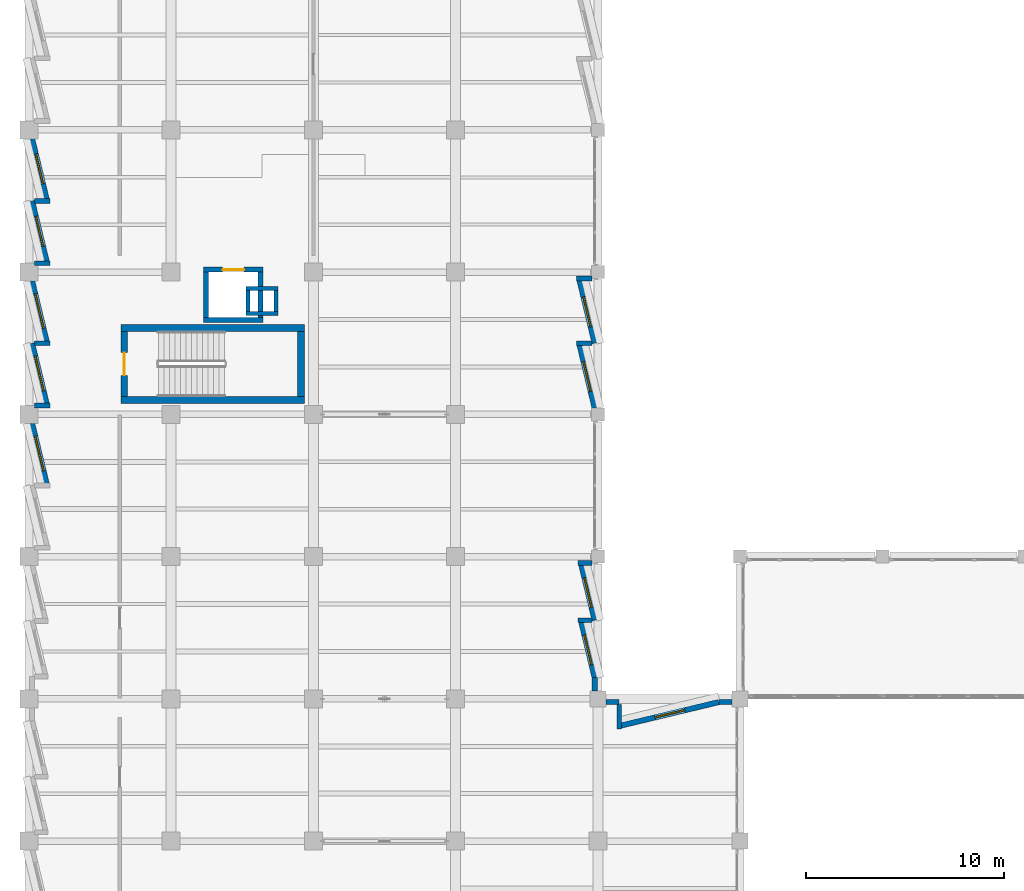
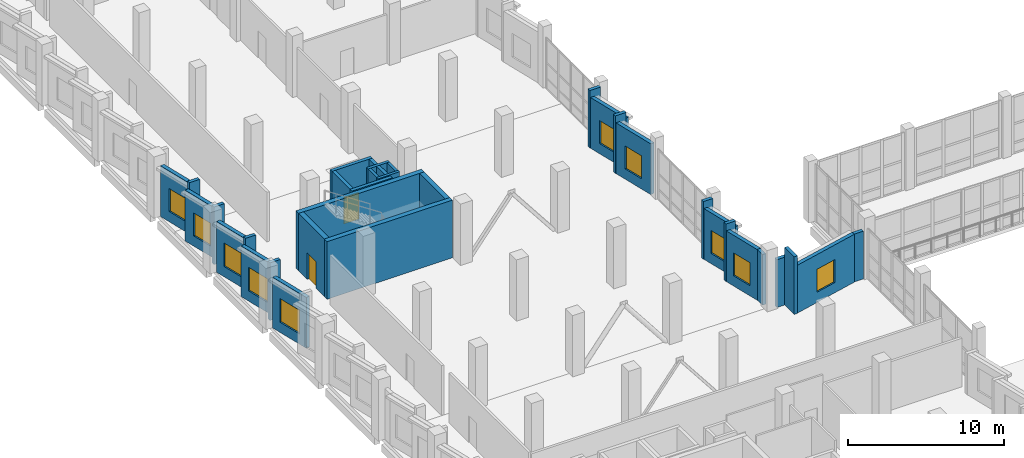
# One storey, part 94 of 127: 34 walls, 10 windows, 2 doors, 12 openings.
"""IFC4 building model written with IfcOpenShell, lengths in metres."""

from ifc_helpers import new_model, si_unit, direction, frame, frame_2d, origin, place, context, subcontext, project, spatial, rectangle, extrude, material, layer, layer_set, type_object, element, fill, save


model = new_model("IFC4")

# Units and contexts
model_context = context("Model", 3, precision=1e-05, world=origin(), true_north=direction((0.0, 1.0)))
body_context = subcontext(model_context, "Body", "Model", "MODEL_VIEW")
ifc_project = project(units=[si_unit("LENGTHUNIT", "METRE"), si_unit("AREAUNIT", "SQUARE_METRE"), si_unit("VOLUMEUNIT", "CUBIC_METRE"), si_unit("PLANEANGLEUNIT", "RADIAN"), si_unit("MASSUNIT", "GRAM", prefix="KILO")], contexts=[model_context])

# Site, building, storey
site_placement = place(None, origin())
site = spatial("IfcSite", under=ifc_project, at=site_placement, CompositionType="ELEMENT")
building_placement = place(site_placement, origin())
building = spatial("IfcBuilding", under=site, at=building_placement, Name="Kalmorath City Hall", CompositionType="ELEMENT")
storey_placement = place(building_placement, frame((0.0, 0.0, 5.39990234375)))
storey = spatial("IfcBuildingStorey", under=building, at=storey_placement, Name="L01", CompositionType="ELEMENT", Elevation=5.39990234375)

# Walls
ifc_material_1 = material(Name="Concrete C50/60", Category="concrete")
ifc_layer_1 = layer(ifc_material_1, 0.35009765625)
ifc_layer_set_1 = layer_set([ifc_layer_1], Name="Concrete C50/60")
wall_type_1 = type_object("IfcWallType", Name="Concrete core shear wall 350", PredefinedType="SHEAR", material=ifc_layer_set_1)
for number, where, z_axis, x_axis, name in (
    (1, (4.64990234375, 51.125, 0.0), (0.0, 0.0, 1.0), (1.0, 0.0, 0.0), "L01 C3 stair core shear wall S"),
    (2, (13.949951171875, 54.77490234375, 0.0), (0.0, 0.0, 1.0), (-1.0, 0.0, 0.0), "L01 C3 stair core shear wall N"),
):
    element("IfcWall", number, at=place(storey_placement, frame(where, z_axis=z_axis, x_axis=x_axis)), inside=storey, type_object=wall_type_1, Name=name, PredefinedType="SHEAR", context=body_context, shape_type="SweptSolid", body=[
        extrude(rectangle(XDim=9.300048828125, YDim=0.35009765625, at=frame_2d((4.64990234375, 0.0))), origin(), (0.0, 0.0, 1.0), 4.52001953125),
    ])

# Wall, opening, door
wall_1_placement = place(storey_placement, frame((4.824951171875, 54.60009765625, 0.0), z_axis=(0.0, 0.0, 1.0), x_axis=(0.0, -1.0, 0.0)))
wall_1 = element("IfcWall", 3, at=wall_1_placement, inside=storey, type_object=wall_type_1, Name="L01 C3 stair core shear wall W", PredefinedType="SHEAR", context=body_context, shape_type="SweptSolid", body=[
    extrude(rectangle(XDim=3.300048828125, YDim=0.35009765625, at=frame_2d((1.64990234375, 0.0))), origin(), (0.0, 0.0, 1.0), 4.52001953125),
])
opening_1_placement = place(wall_1_placement, frame((1.074951171875, 0.0, 0.0)))
opening_1 = element("IfcOpeningElement", 4, at=opening_1_placement, cuts=wall_1, Name="Opening D-L01-066", PredefinedType="OPENING", context=body_context, shape_type="SweptSolid", body=[
    extrude(rectangle(XDim=1.14990234375, YDim=2.10009765625, at=frame_2d((0.574951171875, 1.050048828125))), frame((0.0, 0.18505859375, 0.0), z_axis=(0.0, -1.0, 0.0), x_axis=(1.0, 0.0, 0.0)), (0.0, 0.0, 1.0), 0.3701171875),
])
ifc_material_2 = material(Name="Galvanised steel fire door", Category="steel")
door_type_1 = type_object("IfcDoorType", Name="Stair enclosure 90-min fire door 1150x2100", OperationType="NOTDEFINED", PredefinedType="DOOR", material=ifc_material_2)
door_1_placement = place(opening_1_placement, frame((1.14990234375, 0.0, 0.0), z_axis=(0.0, 0.0, 1.0), x_axis=(-1.0, 0.0, 0.0)))
door_1 = element("IfcDoor", 5, at=door_1_placement, inside=storey, type_object=door_type_1, Name="L01 door D-L01-066", OperationType="SINGLE_SWING_RIGHT", OverallHeight=2.10009765625, OverallWidth=1.14990234375, PredefinedType="DOOR", context=body_context, shape_type="SweptSolid", body=[
    extrude(rectangle(XDim=1.14990234375, YDim=2.10009765625, at=frame_2d((0.574951171875, 1.050048828125))), frame((0.0, 0.02490234375, 0.0), z_axis=(0.0, -1.0, 0.0), x_axis=(1.0, 0.0, 0.0)), (0.0, 0.0, 1.0), 0.050048828125),
])
fill(opening_1, door_1)

# Walls
wall_2_placement = place(storey_placement, frame((13.77490234375, 51.300048828125, 0.0), z_axis=(0.0, 0.0, 1.0), x_axis=(0.0, 1.0, 0.0)))
element("IfcWall", 6, at=wall_2_placement, inside=storey, type_object=wall_type_1, Name="L01 C3 stair core shear wall E", PredefinedType="SHEAR", context=body_context, shape_type="SweptSolid", body=[
    extrude(rectangle(XDim=3.300048828125, YDim=0.35009765625, at=frame_2d((1.64990234375, 0.0))), origin(), (0.0, 0.0, 1.0), 4.52001953125),
])
ifc_material_3 = material(Name="Concrete C50/60", Category="concrete")
ifc_layer_2 = layer(ifc_material_3, 0.25)
ifc_layer_set_2 = layer_set([ifc_layer_2], Name="Concrete C50/60")
wall_type_2 = type_object("IfcWallType", Name="Concrete lift shaft wall 250", PredefinedType="SHEAR", material=ifc_layer_set_2)
wall_3_placement = place(storey_placement, frame((8.85009765625, 55.175048828125, 0.0), z_axis=(0.0, 0.0, 1.0), x_axis=(1.0, 0.0, 0.0)))
element("IfcWall", 7, at=wall_3_placement, inside=storey, type_object=wall_type_2, Name="L01 PL4 lift shaft wall -y", PredefinedType="SHEAR", context=body_context, shape_type="SweptSolid", body=[
    extrude(rectangle(XDim=3.0, YDim=0.25, at=frame_2d((1.5, 0.0))), origin(), (0.0, 0.0, 1.0), 4.52001953125),
])

# Wall, opening, door
wall_4_placement = place(storey_placement, frame((11.85009765625, 57.72509765625, 0.0), z_axis=(0.0, 0.0, 1.0), x_axis=(-1.0, 0.0, 0.0)))
wall_4 = element("IfcWall", 8, at=wall_4_placement, inside=storey, type_object=wall_type_2, Name="L01 PL4 lift shaft wall +y", PredefinedType="SHEAR", context=body_context, shape_type="SweptSolid", body=[
    extrude(rectangle(XDim=3.0, YDim=0.25, at=frame_2d((1.5, 0.0))), origin(), (0.0, 0.0, 1.0), 4.52001953125),
])
opening_2_placement = place(wall_4_placement, frame((0.949951171875, 0.0, 0.0)))
opening_2 = element("IfcOpeningElement", 9, at=opening_2_placement, cuts=wall_4, Name="Opening LD-074", PredefinedType="OPENING", context=body_context, shape_type="SweptSolid", body=[
    extrude(rectangle(XDim=1.10009765625, YDim=2.10009765625, at=frame_2d((0.550048828125, 1.050048828125))), frame((0.0, 0.135009765625, 0.0), z_axis=(0.0, -1.0, 0.0), x_axis=(1.0, 0.0, 0.0)), (0.0, 0.0, 1.0), 0.27001953125),
])
ifc_material_4 = material(Name="Stainless steel sliding landing door", Category="steel")
door_type_2 = type_object("IfcDoorType", Name="Passenger lift sliding landing door 1100x2100", OperationType="SLIDING_TO_LEFT", PredefinedType="DOOR", material=ifc_material_4)
door_2_placement = place(opening_2_placement, origin())
door_2 = element("IfcDoor", 10, at=door_2_placement, inside=storey, type_object=door_type_2, Name="L01 door LD-074", OperationType="SLIDING_TO_LEFT", OverallHeight=2.10009765625, OverallWidth=1.10009765625, PredefinedType="DOOR", context=body_context, shape_type="SweptSolid", body=[
    extrude(rectangle(XDim=1.10009765625, YDim=2.10009765625, at=frame_2d((0.550048828125, 1.050048828125))), frame((0.0, 0.02490234375, 0.0), z_axis=(0.0, -1.0, 0.0), x_axis=(1.0, 0.0, 0.0)), (0.0, 0.0, 1.0), 0.050048828125),
])
fill(opening_2, door_2)

# Walls
for number, where, z_axis, x_axis, name in (
    (11, (8.97509765625, 57.60009765625, 0.0), (0.0, 0.0, 1.0), (0.0, -1.0, 0.0), "L01 PL4 lift shaft wall -x"),
    (12, (11.72509765625, 55.300048828125, 0.0), (0.0, 0.0, 1.0), (0.0, 1.0, 0.0), "L01 PL4 lift shaft wall +x"),
):
    element("IfcWall", number, at=place(storey_placement, frame(where, z_axis=z_axis, x_axis=x_axis)), inside=storey, type_object=wall_type_2, Name=name, PredefinedType="SHEAR", context=body_context, shape_type="SweptSolid", body=[
        extrude(rectangle(XDim=2.300048828125, YDim=0.25, at=frame_2d((1.14990234375, 0.0))), origin(), (0.0, 0.0, 1.0), 4.52001953125),
    ])
ifc_material_5 = material(Name="Concrete C40/50", Category="concrete")
ifc_layer_3 = layer(ifc_material_5, 0.199951171875)
ifc_layer_set_3 = layer_set([ifc_layer_3], Name="Concrete C40/50")
wall_type_3 = type_object("IfcWallType", Name="Concrete service riser wall 200", PredefinedType="SOLIDWALL", material=ifc_layer_set_3)
for number, where, z_axis, x_axis, name in (
    (13, (11.0, 55.5, 0.0), (0.0, 0.0, 1.0), (1.0, 0.0, 0.0), "L01 RSR-2 riser shaft wall S"),
    (14, (12.60009765625, 56.780029296875, 0.0), (0.0, 0.0, 1.0), (-1.0, 0.0, 0.0), "L01 RSR-2 riser shaft wall N"),
):
    element("IfcWall", number, at=place(storey_placement, frame(where, z_axis=z_axis, x_axis=x_axis)), inside=storey, type_object=wall_type_3, Name=name, PredefinedType="SOLIDWALL", context=body_context, shape_type="SweptSolid", body=[
        extrude(rectangle(XDim=1.60009765625, YDim=0.199951171875, at=frame_2d((0.800048828125, 0.0))), origin(), (0.0, 0.0, 1.0), 4.52001953125),
    ])
for number, where, z_axis, x_axis, name in (
    (15, (11.10009765625, 56.679931640625, 0.0), (0.0, 0.0, 1.0), (0.0, -1.0, 0.0), "L01 RSR-2 riser shaft wall W"),
    (16, (12.5, 55.60009765625, 0.0), (0.0, 0.0, 1.0), (0.0, 1.0, 0.0), "L01 RSR-2 riser shaft wall E"),
):
    element("IfcWall", number, at=place(storey_placement, frame(where, z_axis=z_axis, x_axis=x_axis)), inside=storey, type_object=wall_type_3, Name=name, PredefinedType="SOLIDWALL", context=body_context, shape_type="SweptSolid", body=[
        extrude(rectangle(XDim=1.079833984375, YDim=0.199951171875, at=frame_2d((0.5400390625, 0.0))), origin(), (0.0, 0.0, 1.0), 4.52001953125),
    ])
ifc_material_6 = material(Name="Precast concrete C40/50", Category="concrete")
ifc_layer_4 = layer(ifc_material_6, 0.239990234375)
ifc_layer_set_4 = layer_set([ifc_layer_4], Name="Precast concrete C40/50")
wall_type_4 = type_object("IfcWallType", Name="Precast sawtooth cheek wall 240", PredefinedType="SOLIDWALL", material=ifc_layer_set_4)
for number, where, z_axis, x_axis, name in (
    (17, (1.06103515625, 50.85107421875, 0.0), (0.0, 0.0, 1.0), (-1.0, 0.0, 0.0), "L01 sawtooth return cheek #195"),
    (18, (1.06103515625, 54.0, 0.0), (0.0, 0.0, 1.0), (-1.0, 0.0, 0.0), "L01 sawtooth return cheek #197"),
    (19, (1.06103515625, 58.051025390625, 0.0), (0.0, 0.0, 1.0), (-1.0, 0.0, 0.0), "L01 sawtooth return cheek #199"),
    (20, (1.06103515625, 61.199951171875, 0.0), (0.0, 0.0, 1.0), (-1.0, 0.0, 0.0), "L01 sawtooth return cheek #201"),
):
    element("IfcWall", number, at=place(storey_placement, frame(where, z_axis=z_axis, x_axis=x_axis)), inside=storey, type_object=wall_type_4, Name=name, PredefinedType="SOLIDWALL", context=body_context, shape_type="SweptSolid", body=[
        extrude(rectangle(XDim=0.76904296875, YDim=0.239990234375, at=frame_2d((0.384521484375, 0.0))), origin(), (0.0, 0.0, 1.0), 4.52001953125),
    ])
for number, where, z_axis, x_axis, name in (
    (21, (27.708984375, 57.27392578125, 0.0), (0.0, 0.0, 1.0), (1.0, 0.0, 0.0), "L01 sawtooth return cheek #338"),
    (22, (27.708984375, 54.0, 0.0), (0.0, 0.0, 1.0), (1.0, 0.0, 0.0), "L01 sawtooth return cheek #340"),
):
    element("IfcWall", number, at=place(storey_placement, frame(where, z_axis=z_axis, x_axis=x_axis)), inside=storey, type_object=wall_type_4, Name=name, PredefinedType="SOLIDWALL", context=body_context, shape_type="SweptSolid", body=[
        extrude(rectangle(XDim=0.799072265625, YDim=0.239990234375, at=frame_2d((0.3994140625, 0.0))), origin(), (0.0, 0.0, 1.0), 4.52001953125),
    ])
for number, where, z_axis, x_axis, name in (
    (23, (27.799560546875, 42.8740234375, 0.0), (0.0, 0.0, 1.0), (1.0, 0.0, 0.0), "L01 sawtooth return cheek #343"),
    (24, (27.799560546875, 39.9775390625, 0.0), (0.0, 0.0, 1.0), (1.0, 0.0, 0.0), "L01 sawtooth return cheek #345"),
):
    element("IfcWall", number, at=place(storey_placement, frame(where, z_axis=z_axis, x_axis=x_axis)), inside=storey, type_object=wall_type_4, Name=name, PredefinedType="SOLIDWALL", context=body_context, shape_type="SweptSolid", body=[
        extrude(rectangle(XDim=0.70849609375, YDim=0.239990234375, at=frame_2d((0.354248046875, 0.0))), origin(), (0.0, 0.0, 1.0), 4.52001953125),
    ])
wall_5_placement = place(storey_placement, frame((29.881103515625, 34.485595703125, 0.0), z_axis=(0.0, 0.0, 1.0), x_axis=(0.0, 1.0, 0.0)))
element("IfcWall", 25, at=wall_5_placement, inside=storey, type_object=wall_type_4, Name="L01 sawtooth return cheek #349", PredefinedType="SOLIDWALL", context=body_context, shape_type="SweptSolid", body=[
    extrude(rectangle(XDim=1.232421875, YDim=0.239990234375, at=frame_2d((0.6162109375, 0.0))), origin(), (0.0, 0.0, 1.0), 4.52001953125),
])

# Wall, opening, window
ifc_material_7 = material(Name="Precast concrete C40/50", Category="concrete")
ifc_layer_5 = layer(ifc_material_7, 0.280029296875)
ifc_layer_set_5 = layer_set([ifc_layer_5], Name="Precast concrete C40/50")
wall_type_5 = type_object("IfcWallType", Name="Precast sawtooth facade wall 280", PredefinedType="SOLIDWALL", material=ifc_layer_set_5)
wall_6_placement = place(storey_placement, frame((0.893798828125, 46.892333984375, 0.0), z_axis=(0.0, 0.0, 1.0), x_axis=(-0.233461073712, 0.972366148661, 0.0)))
wall_6 = element("IfcWall", 26, at=wall_6_placement, inside=storey, type_object=wall_type_5, Name="L01 sawtooth precast frame #192", PredefinedType="SOLIDWALL", context=body_context, shape_type="SweptSolid", body=[
    extrude(rectangle(XDim=3.1435546875, YDim=0.280029296875, at=frame_2d((1.57177734375, 0.0))), origin(), (0.0, 0.0, 1.0), 3.97607421875),
])
opening_3_placement = place(wall_6_placement, frame((0.671630859375, 0.0, 0.800048828125)))
opening_3 = element("IfcOpeningElement", 27, at=opening_3_placement, cuts=wall_6, Name="Opening WN4", PredefinedType="OPENING", context=body_context, shape_type="SweptSolid", body=[
    extrude(rectangle(XDim=1.800048828125, YDim=1.85009765625, at=frame_2d((0.89990234375, 0.925048828125))), frame((0.0, 0.14990234375, 0.0), z_axis=(0.0, -1.0, 0.0), x_axis=(1.0, 0.0, 0.0)), (0.0, 0.0, 1.0), 0.300048828125),
])
ifc_material_8 = material(Name="Aluminium and laminated glass", Category="aluminium")
window_type_1 = type_object("IfcWindowType", Name="Sawtooth executive window 1800x1850", PartitioningType="SINGLE_PANEL", PredefinedType="WINDOW", material=ifc_material_8)
window_1_placement = place(opening_3_placement, origin())
window_1 = element("IfcWindow", 28, at=window_1_placement, inside=storey, type_object=window_type_1, Name="L01 window WN4-89", OverallHeight=1.85009765625, OverallWidth=1.800048828125, PartitioningType="SINGLE_PANEL", PredefinedType="WINDOW", context=body_context, shape_type="SweptSolid", body=[
    extrude(rectangle(XDim=1.800048828125, YDim=1.85009765625, at=frame_2d((0.89990234375, 0.925048828125))), frame((0.0, 0.030029296875, 0.0), z_axis=(0.0, -1.0, 0.0), x_axis=(1.0, 0.0, 0.0)), (0.0, 0.0, 1.0), 0.06005859375),
])
fill(opening_3, window_1)

wall_7_placement = place(storey_placement, frame((0.893798828125, 50.943359375, 0.0), z_axis=(0.0, 0.0, 1.0), x_axis=(-0.233461073712, 0.972366148661, 0.0)))
wall_7 = element("IfcWall", 29, at=wall_7_placement, inside=storey, type_object=wall_type_5, Name="L01 sawtooth precast frame #194", PredefinedType="SOLIDWALL", context=body_context, shape_type="SweptSolid", body=[
    extrude(rectangle(XDim=3.1435546875, YDim=0.280029296875, at=frame_2d((1.57177734375, 0.0))), origin(), (0.0, 0.0, 1.0), 3.97607421875),
])
opening_4_placement = place(wall_7_placement, frame((0.671630859375, 0.0, 0.800048828125)))
opening_4 = element("IfcOpeningElement", 30, at=opening_4_placement, cuts=wall_7, Name="Opening WN4", PredefinedType="OPENING", context=body_context, shape_type="SweptSolid", body=[
    extrude(rectangle(XDim=1.800048828125, YDim=1.85009765625, at=frame_2d((0.89990234375, 0.925048828125))), frame((0.0, 0.14990234375, 0.0), z_axis=(0.0, -1.0, 0.0), x_axis=(1.0, 0.0, 0.0)), (0.0, 0.0, 1.0), 0.300048828125),
])
window_2_placement = place(opening_4_placement, origin())
window_2 = element("IfcWindow", 31, at=window_2_placement, inside=storey, type_object=window_type_1, Name="L01 window WN4-90", OverallHeight=1.85009765625, OverallWidth=1.800048828125, PartitioningType="SINGLE_PANEL", PredefinedType="WINDOW", context=body_context, shape_type="SweptSolid", body=[
    extrude(rectangle(XDim=1.800048828125, YDim=1.85009765625, at=frame_2d((0.89990234375, 0.925048828125))), frame((0.0, 0.030029296875, 0.0), z_axis=(0.0, -1.0, 0.0), x_axis=(1.0, 0.0, 0.0)), (0.0, 0.0, 1.0), 0.06005859375),
])
fill(opening_4, window_2)

wall_8_placement = place(storey_placement, frame((0.893798828125, 54.09228515625, 0.0), z_axis=(0.0, 0.0, 1.0), x_axis=(-0.233461073712, 0.972366148661, 0.0)))
wall_8 = element("IfcWall", 32, at=wall_8_placement, inside=storey, type_object=wall_type_5, Name="L01 sawtooth precast frame #196", PredefinedType="SOLIDWALL", context=body_context, shape_type="SweptSolid", body=[
    extrude(rectangle(XDim=3.1435546875, YDim=0.280029296875, at=frame_2d((1.57177734375, 0.0))), origin(), (0.0, 0.0, 1.0), 3.97607421875),
])
opening_5_placement = place(wall_8_placement, frame((0.671630859375, 0.0, 0.800048828125)))
opening_5 = element("IfcOpeningElement", 33, at=opening_5_placement, cuts=wall_8, Name="Opening WN4", PredefinedType="OPENING", context=body_context, shape_type="SweptSolid", body=[
    extrude(rectangle(XDim=1.800048828125, YDim=1.85009765625, at=frame_2d((0.89990234375, 0.925048828125))), frame((0.0, 0.14990234375, 0.0), z_axis=(0.0, -1.0, 0.0), x_axis=(1.0, 0.0, 0.0)), (0.0, 0.0, 1.0), 0.300048828125),
])
window_3_placement = place(opening_5_placement, origin())
window_3 = element("IfcWindow", 34, at=window_3_placement, inside=storey, type_object=window_type_1, Name="L01 window WN4-91", OverallHeight=1.85009765625, OverallWidth=1.800048828125, PartitioningType="SINGLE_PANEL", PredefinedType="WINDOW", context=body_context, shape_type="SweptSolid", body=[
    extrude(rectangle(XDim=1.800048828125, YDim=1.85009765625, at=frame_2d((0.89990234375, 0.925048828125))), frame((0.0, 0.030029296875, 0.0), z_axis=(0.0, -1.0, 0.0), x_axis=(1.0, 0.0, 0.0)), (0.0, 0.0, 1.0), 0.06005859375),
])
fill(opening_5, window_3)

wall_9_placement = place(storey_placement, frame((0.893798828125, 58.143310546875, 0.0), z_axis=(0.0, 0.0, 1.0), x_axis=(-0.233461073712, 0.972366148661, 0.0)))
wall_9 = element("IfcWall", 35, at=wall_9_placement, inside=storey, type_object=wall_type_5, Name="L01 sawtooth precast frame #198", PredefinedType="SOLIDWALL", context=body_context, shape_type="SweptSolid", body=[
    extrude(rectangle(XDim=3.1435546875, YDim=0.280029296875, at=frame_2d((1.57177734375, 0.0))), origin(), (0.0, 0.0, 1.0), 3.97607421875),
])
opening_6_placement = place(wall_9_placement, frame((0.796630859375, 0.0, 0.800048828125)))
opening_6 = element("IfcOpeningElement", 36, at=opening_6_placement, cuts=wall_9, Name="Opening WN5", PredefinedType="OPENING", context=body_context, shape_type="SweptSolid", body=[
    extrude(rectangle(XDim=1.550048828125, YDim=1.800048828125, at=frame_2d((0.77490234375, 0.89990234375))), frame((0.0, 0.14990234375, 0.0), z_axis=(0.0, -1.0, 0.0), x_axis=(1.0, 0.0, 0.0)), (0.0, 0.0, 1.0), 0.300048828125),
])
ifc_material_9 = material(Name="Aluminium and laminated glass", Category="aluminium")
window_type_2 = type_object("IfcWindowType", Name="Sawtooth corner bay window 1550x1800", PartitioningType="SINGLE_PANEL", PredefinedType="WINDOW", material=ifc_material_9)
window_4_placement = place(opening_6_placement, origin())
window_4 = element("IfcWindow", 37, at=window_4_placement, inside=storey, type_object=window_type_2, Name="L01 window WN5-92", OverallHeight=1.800048828125, OverallWidth=1.550048828125, PartitioningType="SINGLE_PANEL", PredefinedType="WINDOW", context=body_context, shape_type="SweptSolid", body=[
    extrude(rectangle(XDim=1.550048828125, YDim=1.800048828125, at=frame_2d((0.77490234375, 0.89990234375))), frame((0.0, 0.030029296875, 0.0), z_axis=(0.0, -1.0, 0.0), x_axis=(1.0, 0.0, 0.0)), (0.0, 0.0, 1.0), 0.06005859375),
])
fill(opening_6, window_4)

wall_10_placement = place(storey_placement, frame((0.893798828125, 61.29248046875, 0.0), z_axis=(0.0, 0.0, 1.0), x_axis=(-0.233461073712, 0.972366148661, 0.0)))
wall_10 = element("IfcWall", 38, at=wall_10_placement, inside=storey, type_object=wall_type_5, Name="L01 sawtooth precast frame #200", PredefinedType="SOLIDWALL", context=body_context, shape_type="SweptSolid", body=[
    extrude(rectangle(XDim=3.1435546875, YDim=0.280029296875, at=frame_2d((1.57177734375, 0.0))), origin(), (0.0, 0.0, 1.0), 3.97607421875),
])
opening_7_placement = place(wall_10_placement, frame((0.796630859375, 0.0, 0.800048828125)))
opening_7 = element("IfcOpeningElement", 39, at=opening_7_placement, cuts=wall_10, Name="Opening WN5", PredefinedType="OPENING", context=body_context, shape_type="SweptSolid", body=[
    extrude(rectangle(XDim=1.550048828125, YDim=1.800048828125, at=frame_2d((0.77490234375, 0.89990234375))), frame((0.0, 0.14990234375, 0.0), z_axis=(0.0, -1.0, 0.0), x_axis=(1.0, 0.0, 0.0)), (0.0, 0.0, 1.0), 0.300048828125),
])
window_5_placement = place(opening_7_placement, origin())
window_5 = element("IfcWindow", 40, at=window_5_placement, inside=storey, type_object=window_type_2, Name="L01 window WN5-93", OverallHeight=1.800048828125, OverallWidth=1.550048828125, PartitioningType="SINGLE_PANEL", PredefinedType="WINDOW", context=body_context, shape_type="SweptSolid", body=[
    extrude(rectangle(XDim=1.550048828125, YDim=1.800048828125, at=frame_2d((0.77490234375, 0.89990234375))), frame((0.0, 0.030029296875, 0.0), z_axis=(0.0, -1.0, 0.0), x_axis=(1.0, 0.0, 0.0)), (0.0, 0.0, 1.0), 0.06005859375),
])
fill(opening_7, window_5)

wall_11_placement = place(storey_placement, frame((27.876220703125, 57.181640625, 0.0), z_axis=(0.0, 0.0, 1.0), x_axis=(0.233395528793, -0.972381883387, 0.0)))
wall_11 = element("IfcWall", 41, at=wall_11_placement, inside=storey, type_object=wall_type_5, Name="L01 sawtooth precast frame #337", PredefinedType="SOLIDWALL", context=body_context, shape_type="SweptSolid", body=[
    extrude(rectangle(XDim=3.27197265625, YDim=0.280029296875, at=frame_2d((1.635986328125, 0.0))), origin(), (0.0, 0.0, 1.0), 3.97607421875),
])
opening_8_placement = place(wall_11_placement, frame((0.861083984375, 0.0, 0.800048828125)))
opening_8 = element("IfcOpeningElement", 42, at=opening_8_placement, cuts=wall_11, Name="Opening WN5", PredefinedType="OPENING", context=body_context, shape_type="SweptSolid", body=[
    extrude(rectangle(XDim=1.550048828125, YDim=1.800048828125, at=frame_2d((0.77490234375, 0.89990234375))), frame((0.0, 0.14990234375, 0.0), z_axis=(0.0, -1.0, 0.0), x_axis=(1.0, 0.0, 0.0)), (0.0, 0.0, 1.0), 0.300048828125),
])
window_6_placement = place(opening_8_placement, origin())
window_6 = element("IfcWindow", 43, at=window_6_placement, inside=storey, type_object=window_type_2, Name="L01 window WN5-164", OverallHeight=1.800048828125, OverallWidth=1.550048828125, PartitioningType="SINGLE_PANEL", PredefinedType="WINDOW", context=body_context, shape_type="SweptSolid", body=[
    extrude(rectangle(XDim=1.550048828125, YDim=1.800048828125, at=frame_2d((0.77490234375, 0.89990234375))), frame((0.0, 0.030029296875, 0.0), z_axis=(0.0, -1.0, 0.0), x_axis=(1.0, 0.0, 0.0)), (0.0, 0.0, 1.0), 0.06005859375),
])
fill(opening_8, window_6)

wall_12_placement = place(storey_placement, frame((27.876220703125, 53.90771484375, 0.0), z_axis=(0.0, 0.0, 1.0), x_axis=(0.233395528793, -0.972381883387, 0.0)))
wall_12 = element("IfcWall", 44, at=wall_12_placement, inside=storey, type_object=wall_type_5, Name="L01 sawtooth precast frame #339", PredefinedType="SOLIDWALL", context=body_context, shape_type="SweptSolid", body=[
    extrude(rectangle(XDim=3.27197265625, YDim=0.280029296875, at=frame_2d((1.635986328125, 0.0))), origin(), (0.0, 0.0, 1.0), 3.97607421875),
])
opening_9_placement = place(wall_12_placement, frame((0.861083984375, 0.0, 0.800048828125)))
opening_9 = element("IfcOpeningElement", 45, at=opening_9_placement, cuts=wall_12, Name="Opening WN5", PredefinedType="OPENING", context=body_context, shape_type="SweptSolid", body=[
    extrude(rectangle(XDim=1.550048828125, YDim=1.800048828125, at=frame_2d((0.77490234375, 0.89990234375))), frame((0.0, 0.14990234375, 0.0), z_axis=(0.0, -1.0, 0.0), x_axis=(1.0, 0.0, 0.0)), (0.0, 0.0, 1.0), 0.300048828125),
])
window_7_placement = place(opening_9_placement, origin())
window_7 = element("IfcWindow", 46, at=window_7_placement, inside=storey, type_object=window_type_2, Name="L01 window WN5-165", OverallHeight=1.800048828125, OverallWidth=1.550048828125, PartitioningType="SINGLE_PANEL", PredefinedType="WINDOW", context=body_context, shape_type="SweptSolid", body=[
    extrude(rectangle(XDim=1.550048828125, YDim=1.800048828125, at=frame_2d((0.77490234375, 0.89990234375))), frame((0.0, 0.030029296875, 0.0), z_axis=(0.0, -1.0, 0.0), x_axis=(1.0, 0.0, 0.0)), (0.0, 0.0, 1.0), 0.06005859375),
])
fill(opening_9, window_7)

wall_13_placement = place(storey_placement, frame((27.966796875, 42.781494140625, 0.0), z_axis=(0.0, 0.0, 1.0), x_axis=(0.233420984441, -0.972375773054, 0.0)))
wall_13 = element("IfcWall", 47, at=wall_13_placement, inside=storey, type_object=wall_type_5, Name="L01 sawtooth precast frame #342", PredefinedType="SOLIDWALL", context=body_context, shape_type="SweptSolid", body=[
    extrude(rectangle(XDim=2.883544921875, YDim=0.280029296875, at=frame_2d((1.44189453125, 0.0))), origin(), (0.0, 0.0, 1.0), 3.97607421875),
])
opening_10_placement = place(wall_13_placement, frame((0.6669921875, 0.0, 0.800048828125)))
opening_10 = element("IfcOpeningElement", 48, at=opening_10_placement, cuts=wall_13, Name="Opening WN5", PredefinedType="OPENING", context=body_context, shape_type="SweptSolid", body=[
    extrude(rectangle(XDim=1.550048828125, YDim=1.800048828125, at=frame_2d((0.77490234375, 0.89990234375))), frame((0.0, 0.14990234375, 0.0), z_axis=(0.0, -1.0, 0.0), x_axis=(1.0, 0.0, 0.0)), (0.0, 0.0, 1.0), 0.300048828125),
])
window_8_placement = place(opening_10_placement, origin())
window_8 = element("IfcWindow", 49, at=window_8_placement, inside=storey, type_object=window_type_2, Name="L01 window WN5-166", OverallHeight=1.800048828125, OverallWidth=1.550048828125, PartitioningType="SINGLE_PANEL", PredefinedType="WINDOW", context=body_context, shape_type="SweptSolid", body=[
    extrude(rectangle(XDim=1.550048828125, YDim=1.800048828125, at=frame_2d((0.77490234375, 0.89990234375))), frame((0.0, 0.030029296875, 0.0), z_axis=(0.0, -1.0, 0.0), x_axis=(1.0, 0.0, 0.0)), (0.0, 0.0, 1.0), 0.06005859375),
])
fill(opening_10, window_8)

wall_14_placement = place(storey_placement, frame((27.966796875, 39.885009765625, 0.0), z_axis=(0.0, 0.0, 1.0), x_axis=(0.233420984441, -0.972375773054, 0.0)))
wall_14 = element("IfcWall", 50, at=wall_14_placement, inside=storey, type_object=wall_type_5, Name="L01 sawtooth precast frame #344", PredefinedType="SOLIDWALL", context=body_context, shape_type="SweptSolid", body=[
    extrude(rectangle(XDim=2.883544921875, YDim=0.280029296875, at=frame_2d((1.44189453125, 0.0))), origin(), (0.0, 0.0, 1.0), 3.97607421875),
])
opening_11_placement = place(wall_14_placement, frame((0.6669921875, 0.0, 0.800048828125)))
opening_11 = element("IfcOpeningElement", 51, at=opening_11_placement, cuts=wall_14, Name="Opening WN5", PredefinedType="OPENING", context=body_context, shape_type="SweptSolid", body=[
    extrude(rectangle(XDim=1.550048828125, YDim=1.800048828125, at=frame_2d((0.77490234375, 0.89990234375))), frame((0.0, 0.14990234375, 0.0), z_axis=(0.0, -1.0, 0.0), x_axis=(1.0, 0.0, 0.0)), (0.0, 0.0, 1.0), 0.300048828125),
])
window_9_placement = place(opening_11_placement, origin())
window_9 = element("IfcWindow", 52, at=window_9_placement, inside=storey, type_object=window_type_2, Name="L01 window WN5-167", OverallHeight=1.800048828125, OverallWidth=1.550048828125, PartitioningType="SINGLE_PANEL", PredefinedType="WINDOW", context=body_context, shape_type="SweptSolid", body=[
    extrude(rectangle(XDim=1.550048828125, YDim=1.800048828125, at=frame_2d((0.77490234375, 0.89990234375))), frame((0.0, 0.030029296875, 0.0), z_axis=(0.0, -1.0, 0.0), x_axis=(1.0, 0.0, 0.0)), (0.0, 0.0, 1.0), 0.06005859375),
])
fill(opening_11, window_9)

wall_15_placement = place(storey_placement, frame((29.973388671875, 34.652587890625, 0.0), z_axis=(0.0, 0.0, 1.0), x_axis=(0.972362024801, 0.233478248933, 0.0)))
wall_15 = element("IfcWall", 53, at=wall_15_placement, inside=storey, type_object=wall_type_5, Name="L01 sawtooth precast frame #348", PredefinedType="SOLIDWALL", context=body_context, shape_type="SweptSolid", body=[
    extrude(rectangle(XDim=5.086181640625, YDim=0.280029296875, at=frame_2d((2.54296875, 0.0))), origin(), (0.0, 0.0, 1.0), 3.7509765625),
])
opening_12_placement = place(wall_15_placement, frame((1.76806640625, 0.0, 0.800048828125)))
opening_12 = element("IfcOpeningElement", 54, at=opening_12_placement, cuts=wall_15, Name="Opening WN5", PredefinedType="OPENING", context=body_context, shape_type="SweptSolid", body=[
    extrude(rectangle(XDim=1.550048828125, YDim=1.800048828125, at=frame_2d((0.77490234375, 0.89990234375))), frame((0.0, 0.14990234375, 0.0), z_axis=(0.0, -1.0, 0.0), x_axis=(1.0, 0.0, 0.0)), (0.0, 0.0, 1.0), 0.300048828125),
])
window_10_placement = place(opening_12_placement, origin())
window_10 = element("IfcWindow", 55, at=window_10_placement, inside=storey, type_object=window_type_2, Name="L01 window WN5-168", OverallHeight=1.800048828125, OverallWidth=1.550048828125, PartitioningType="SINGLE_PANEL", PredefinedType="WINDOW", context=body_context, shape_type="SweptSolid", body=[
    extrude(rectangle(XDim=1.550048828125, YDim=1.800048828125, at=frame_2d((0.77490234375, 0.89990234375))), frame((0.0, 0.030029296875, 0.0), z_axis=(0.0, -1.0, 0.0), x_axis=(1.0, 0.0, 0.0)), (0.0, 0.0, 1.0), 0.06005859375),
])
fill(opening_12, window_10)

# Walls
ifc_material_10 = material(Name="Precast concrete C40/50", Category="concrete")
ifc_layer_6 = layer(ifc_material_10, 0.260009765625)
ifc_layer_set_6 = layer_set([ifc_layer_6], Name="Precast concrete C40/50")
wall_type_6 = type_object("IfcWallType", Name="Precast sawtooth return wall 260", PredefinedType="SOLIDWALL", material=ifc_layer_set_6)
wall_16_placement = place(storey_placement, frame((28.639892578125, 37.0810546875, 0.0), z_axis=(0.0, 0.0, 1.0), x_axis=(0.0, -1.0, 0.0)))
element("IfcWall", 56, at=wall_16_placement, inside=storey, type_object=wall_type_6, Name="L01 corner pier wall #341", PredefinedType="SOLIDWALL", context=body_context, shape_type="SweptSolid", body=[
    extrude(rectangle(XDim=0.68017578125, YDim=0.260009765625, at=frame_2d((0.340087890625, 0.0))), origin(), (0.0, 0.0, 1.0), 3.97607421875),
])
for number, where, z_axis, x_axis, name in (
    (57, (29.200927734375, 35.840087890625, 0.0), (0.0, 0.0, 1.0), (1.0, 0.0, 0.0), "L01 corner pier wall #346"),
    (58, (34.9189453125, 35.840087890625, 0.0), (0.0, 0.0, 1.0), (1.0, 0.0, 0.0), "L01 corner pier wall #347"),
):
    element("IfcWall", number, at=place(storey_placement, frame(where, z_axis=z_axis, x_axis=x_axis)), inside=storey, type_object=wall_type_6, Name=name, PredefinedType="SOLIDWALL", context=body_context, shape_type="SweptSolid", body=[
        extrude(rectangle(XDim=0.68017578125, YDim=0.260009765625, at=frame_2d((0.340087890625, 0.0))), origin(), (0.0, 0.0, 1.0), 3.7509765625),
    ])

save(model, "model.ifc")
